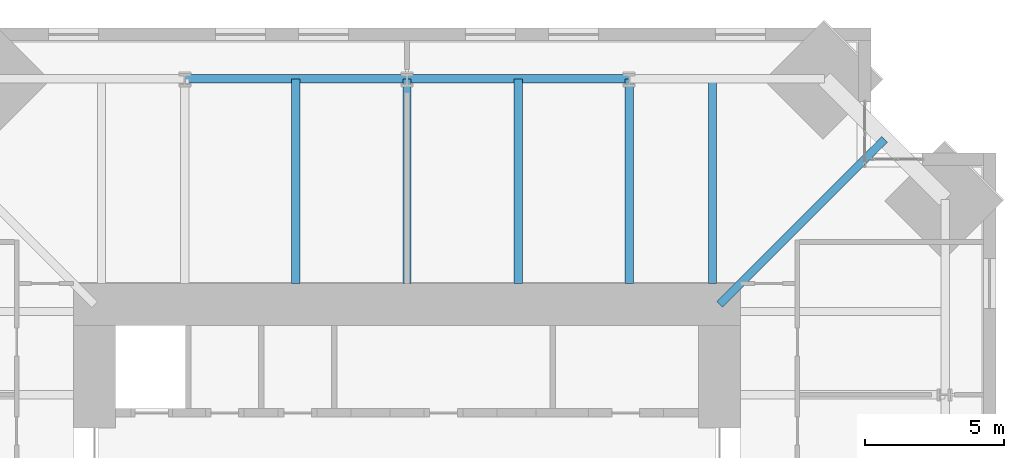
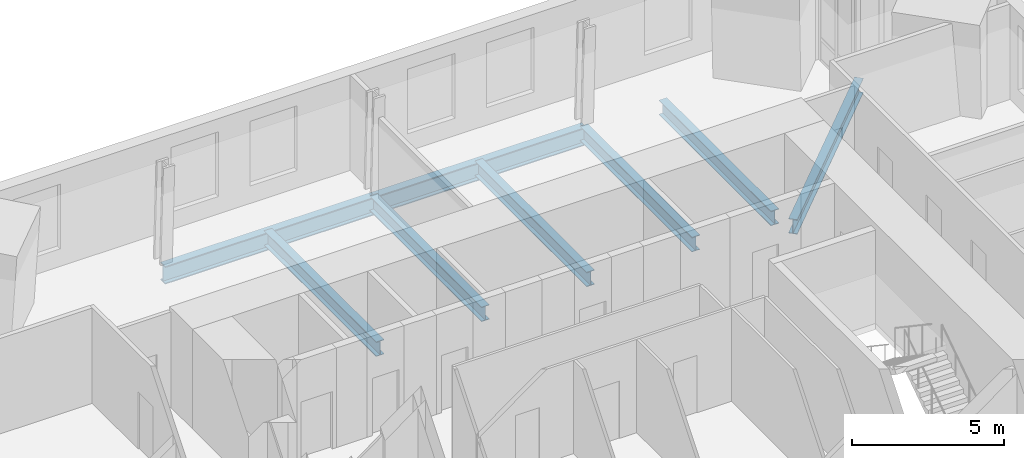
# One storey, part 7 of 15: 8 beams.
"""IFC4 building model written with IfcOpenShell, lengths in metres."""

from ifc_helpers import new_model, si_unit, direction, frame, origin, origin_2d, place, context, subcontext, project, spatial, i_section, extrude, material, material_profile, profile_set, type_object, element, save


model = new_model("IFC4")

# Units and contexts
model_context = context("Model", 3, precision=1e-05, world=origin(), true_north=direction((0.0, 1.0)))
body_context = subcontext(model_context, "Body", "Model", "MODEL_VIEW")
ifc_project = project(units=[si_unit("LENGTHUNIT", "METRE"), si_unit("AREAUNIT", "SQUARE_METRE"), si_unit("VOLUMEUNIT", "CUBIC_METRE"), si_unit("PLANEANGLEUNIT", "RADIAN"), si_unit("MASSUNIT", "GRAM", prefix="KILO")], contexts=[model_context])

# Site, building, storey
site_placement = place(None, origin())
site = spatial("IfcSite", under=ifc_project, at=site_placement, CompositionType="ELEMENT")
building_placement = place(site_placement, origin())
building = spatial("IfcBuilding", under=site, at=building_placement, Name="Peilmerk Tower", CompositionType="ELEMENT")
storey_placement = place(building_placement, frame((0.0, 0.0, 285.800048828125)))
storey = spatial("IfcBuildingStorey", under=building, at=storey_placement, Name="L64", CompositionType="ELEMENT", Elevation=285.800048828125)

# Beams
ifc_material = material(Name="Steel S355", Category="steel")
ifc_material_profile_1 = material_profile(ifc_material, i_section(OverallWidth=0.300048828125, OverallDepth=0.590087890625, WebThickness=0.012939453125, FlangeThickness=0.02490234375, at=origin_2d()), Name="HEA 600")
ifc_profile_set_1 = profile_set([ifc_material_profile_1], Name="Steel S355")
beam_type_1 = type_object("IfcBeamType", Name="B27 HEA 600 floor beam", PredefinedType="BEAM", material=ifc_profile_set_1)
for number, where, z_axis, x_axis, name in (
    (1, (11.0, 12.0, -0.465087890625), (0.0, 1.0, 0.0), (-1.0, 0.0, 0.0), "Floor beam L64"),
    (2, (8.0, 12.0, -0.465087890625), (0.0, 1.0, 0.0), (-1.0, 0.0, 0.0), "Floor beam L64"),
    (3, (4.0, 12.0, -0.465087890625), (0.0, 1.0, 0.0), (-1.0, 0.0, 0.0), "Floor beam L64"),
    (4, (0.0, 12.0, -0.465087890625), (0.0, 1.0, 0.0), (-1.0, 0.0, 0.0), "Floor beam L64"),
    (5, (-4.0, 12.0, -0.465087890625), (0.0, 1.0, 0.0), (-1.0, 0.0, 0.0), "Floor beam L64"),
):
    element("IfcBeam", number, at=place(storey_placement, frame(where, z_axis=z_axis, x_axis=x_axis)), inside=storey, type_object=beam_type_1, Name=name, PredefinedType="BEAM", context=body_context, shape_type="SweptSolid", body=[
        extrude(i_section(OverallWidth=0.300048828125, OverallDepth=0.590087890625, WebThickness=0.012939453125, FlangeThickness=0.02490234375, at=origin_2d()), origin(), (0.0, 0.0, 1.0), 7.37255859375),
    ])
beam_placement = place(storey_placement, frame((11.25, 11.25, -0.465087890625), z_axis=(0.707106781187, 0.707106781187, 0.0), x_axis=(-0.707106781187, 0.707106781187, 0.0)))
element("IfcBeam", 6, at=beam_placement, inside=storey, type_object=beam_type_1, Name="Corner girder L64", PredefinedType="BEAM", context=body_context, shape_type="SweptSolid", body=[
    extrude(i_section(OverallWidth=0.300048828125, OverallDepth=0.590087890625, WebThickness=0.012939453125, FlangeThickness=0.02490234375, at=origin_2d()), origin(), (0.0, 0.0, 1.0), 8.4111328125),
])
ifc_material_profile_2 = material_profile(ifc_material, i_section(OverallWidth=0.303955078125, OverallDepth=0.716064453125, WebThickness=0.02099609375, FlangeThickness=0.0400390625, at=origin_2d()), Name="HEM 700")
ifc_profile_set_2 = profile_set([ifc_material_profile_2], Name="Steel S355")
beam_type_2 = type_object("IfcBeamType", Name="B30 HEM 700 edge beam", PredefinedType="SPANDREL", material=ifc_profile_set_2)
for number, where, z_axis, x_axis, name in (
    (7, (8.0, 19.37255859375, -0.528076171875), (-1.0, 0.0, 0.0), (0.0, -1.0, 0.0), "Edge beam L64"),
    (8, (0.0, 19.37255859375, -0.528076171875), (-1.0, 0.0, 0.0), (0.0, -1.0, 0.0), "Edge beam L64"),
):
    element("IfcBeam", number, at=place(storey_placement, frame(where, z_axis=z_axis, x_axis=x_axis)), inside=storey, type_object=beam_type_2, Name=name, PredefinedType="SPANDREL", context=body_context, shape_type="SweptSolid", body=[
        extrude(i_section(OverallWidth=0.303955078125, OverallDepth=0.716064453125, WebThickness=0.02099609375, FlangeThickness=0.0400390625, at=origin_2d()), origin(), (0.0, 0.0, 1.0), 8.0),
    ])

save(model, "model.ifc")
